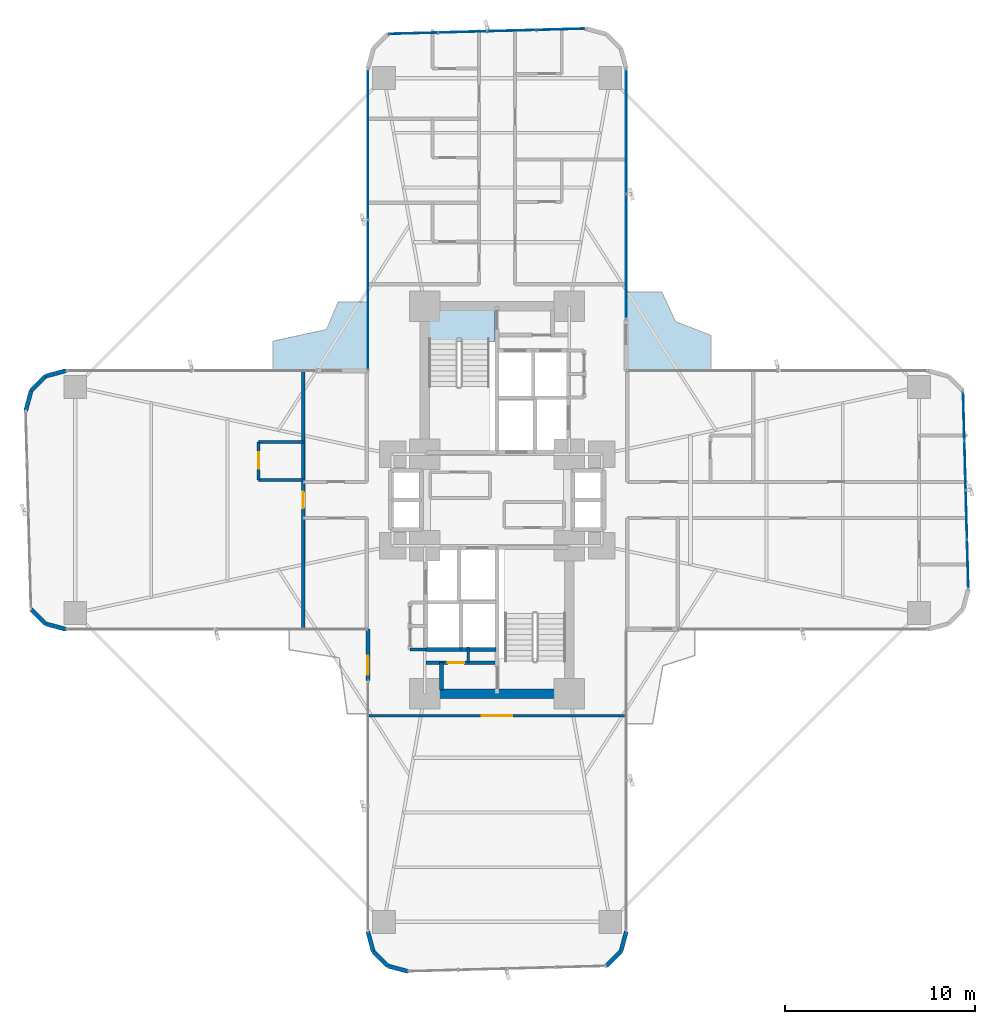
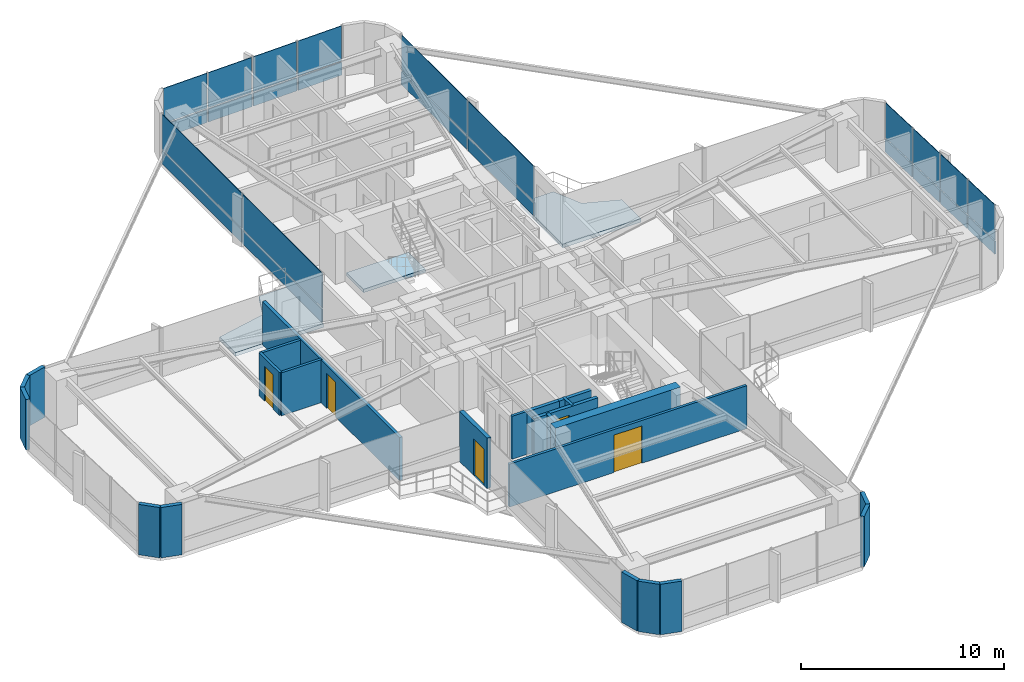
# One storey, part 21 of 25: 24 plates, 23 walls, 5 doors, 3 slabs, 5 openings, 4 elements without a shape of their own.
"""IFC4 building model written with IfcOpenShell, lengths in metres."""

from ifc_helpers import new_model, si_unit, direction, frame, frame_2d, origin, origin_2d, place, context, subcontext, project, spatial, polyline, rectangle, outline, extrude, source, transform, mapped, material, layer, layer_set, type_object, element, fill, aggregate, save


model = new_model("IFC4")

# Units and contexts
model_context = context("Model", 3, precision=1e-05, world=origin(), true_north=direction((0.0, 1.0)))
body_context = subcontext(model_context, "Body", "Model", "MODEL_VIEW")
ifc_project = project(units=[si_unit("LENGTHUNIT", "METRE"), si_unit("AREAUNIT", "SQUARE_METRE"), si_unit("VOLUMEUNIT", "CUBIC_METRE"), si_unit("PLANEANGLEUNIT", "RADIAN"), si_unit("MASSUNIT", "GRAM", prefix="KILO")], contexts=[model_context])

# Site, building, storey
site_placement = place(None, origin())
site = spatial("IfcSite", under=ifc_project, at=site_placement, CompositionType="ELEMENT")
building_placement = place(site_placement, origin())
building = spatial("IfcBuilding", under=site, at=building_placement, Name="Sahyath Konkavel Grand Hotel", CompositionType="ELEMENT")
storey_placement = place(building_placement, frame((0.0, 0.0, 71.14990234375)))
storey = spatial("IfcBuildingStorey", under=building, at=storey_placement, Name="L19", CompositionType="ELEMENT", Elevation=71.14990234375)

# Slabs
ifc_material_1 = material(Name="Concrete C40/50", Category="concrete")
ifc_layer_1 = layer(ifc_material_1, 0.219970703125)
ifc_layer_set_1 = layer_set([ifc_layer_1], Name="Concrete C40/50")
slab_type_1 = type_object("IfcSlabType", Name="SLB-BALCONY-220", PredefinedType="FLOOR", material=ifc_layer_set_1)
slab_1_placement = place(storey_placement, frame((0.0, 0.0, -0.219970703125)))
element("IfcSlab", 1, at=slab_1_placement, inside=storey, type_object=slab_type_1, Name="L19 Winter-Garden Balcony NE", PredefinedType="FLOOR", context=body_context, shape_type="SweptSolid", body=[
    extrude(outline(polyline([(6.800048828125, 6.800048828125), (11.2529296875, 6.800048828125), (11.2529296875, 8.66259765625), (9.386962890625, 9.386962890625), (8.66259765625, 10.947021484375), (6.800048828125, 10.947021484375), (6.800048828125, 6.800048828125)])), origin(), (0.0, 0.0, 1.0), 0.219970703125),
])
slab_2_placement = place(storey_placement, frame((0.0, 0.0, -0.219970703125)))
element("IfcSlab", 2, at=slab_2_placement, inside=storey, type_object=slab_type_1, Name="L19 Winter-Garden Balcony NW", PredefinedType="FLOOR", context=body_context, shape_type="SweptSolid", body=[
    extrude(outline(polyline([(-6.800048828125, 6.800048828125), (-6.800048828125, 10.4169921875), (-8.3623046875, 10.4169921875), (-8.969970703125, 8.969970703125), (-11.782958984375, 8.3623046875), (-11.782958984375, 6.800048828125), (-6.800048828125, 6.800048828125)])), origin(), (0.0, 0.0, 1.0), 0.219970703125),
])
ifc_layer_2 = layer(ifc_material_1, 0.199951171875)
ifc_layer_set_2 = layer_set([ifc_layer_2], Name="Concrete C40/50")
slab_type_2 = type_object("IfcSlabType", Name="SLB-STAIR-LND", PredefinedType="LANDING", material=ifc_layer_set_2)
slab_3_placement = place(storey_placement, frame((0.0, 0.0, -0.199951171875)))
element("IfcSlab", 3, at=slab_3_placement, inside=storey, type_object=slab_type_2, Name="L19 Stair ST-1 Floor Landing Slab", PredefinedType="LANDING", context=body_context, shape_type="SweptSolid", body=[
    extrude(outline(polyline([(-3.6201171875, 8.35009765625), (-0.10009765625, 8.35009765625), (-0.10009765625, 10.02001953125), (-3.6201171875, 10.02001953125), (-3.6201171875, 8.35009765625)])), origin(), (0.0, 0.0, 1.0), 0.199951171875),
])

# Curtain wall, plates
ifc_material_2 = material(Name="Anodised Bronze Aluminium & Low-E Glazing", Category="aluminium")
curtain_wall_type = type_object("IfcCurtainWallType", Name="CW-ZONE1", PredefinedType="NOTDEFINED", material=ifc_material_2)
curtain_wall_1_placement = place(storey_placement, origin())
curtain_wall_1 = element("IfcCurtainWall", 4, at=curtain_wall_1_placement, inside=storey, type_object=curtain_wall_type, Name="L19 Unitised Curtain Wall F15", PredefinedType="NOTDEFINED")
ifc_material_3 = material(Name="Warm Buff Sandstone Cladding", Category="masonry")
ifc_layer_3 = layer(ifc_material_3, 0.074951171875)
ifc_layer_set_3 = layer_set([ifc_layer_3], Name="Warm Buff Sandstone Cladding")
plate_type_1 = type_object("IfcPlateType", Name="PNL-SPANDREL-STONE", PredefinedType="SHEET", material=ifc_layer_set_3)
shared_shape_1 = source(origin(), body_context, "Body", "SweptSolid", [
    extrude(rectangle(XDim=7.830078125, YDim=0.074951171875, at=origin_2d()), origin(), (0.0, 0.0, 1.0), 0.77001953125),
])
plate_1_placement = place(storey_placement, frame((-6.800048828125, 18.705078125, 0.0400390625), z_axis=(0.0, 0.0, 1.0), x_axis=(0.0, -1.0, 0.0)))
plate_1 = element("IfcPlate", 5, at=plate_1_placement, type_object=plate_type_1, Name="L19 Sandstone Relief Spandrel Panel F15-0", PredefinedType="SHEET", context=body_context, shape_type="MappedRepresentation", body=[
    mapped(shared_shape_1, transform((0.0, 0.0, 0.0), scale=1.0)),
])
plate_2_placement = place(storey_placement, frame((-6.800048828125, 10.794921875, 0.0400390625), z_axis=(0.0, 0.0, 1.0), x_axis=(0.0, -1.0, 0.0)))
plate_2 = element("IfcPlate", 6, at=plate_2_placement, type_object=plate_type_1, Name="L19 Sandstone Relief Spandrel Panel F15-1", PredefinedType="SHEET", context=body_context, shape_type="MappedRepresentation", body=[
    mapped(shared_shape_1, transform((0.0, 0.0, 0.0), scale=1.0)),
])

curtain_wall_2_placement = place(storey_placement, origin())
curtain_wall_2 = element("IfcCurtainWall", 7, at=curtain_wall_2_placement, inside=storey, type_object=curtain_wall_type, Name="L19 Unitised Curtain Wall F4", PredefinedType="NOTDEFINED")
shared_shape_2 = source(origin(), body_context, "Body", "SweptSolid", [
    extrude(rectangle(XDim=2.513427734375, YDim=0.074951171875, at=origin_2d()), origin(), (0.0, 0.0, 1.0), 0.77001953125),
])
plate_3_placement = place(storey_placement, frame((24.763916015625, -3.36376953125, 0.0400390625), z_axis=(0.0, 0.0, 1.0), x_axis=(-0.026909728301, 0.999637867691, 0.0)))
plate_3 = element("IfcPlate", 8, at=plate_3_placement, type_object=plate_type_1, Name="L19 Sandstone Relief Spandrel Panel F4-0", PredefinedType="SHEET", context=body_context, shape_type="MappedRepresentation", body=[
    mapped(shared_shape_2, transform((0.0, 0.0, 0.0), scale=1.0)),
])
plate_4_placement = place(storey_placement, frame((24.694091796875, -0.771240234375, 0.0400390625), z_axis=(0.0, 0.0, 1.0), x_axis=(-0.026909728301, 0.999637867691, 0.0)))
plate_4 = element("IfcPlate", 9, at=plate_4_placement, type_object=plate_type_1, Name="L19 Sandstone Relief Spandrel Panel F4-1", PredefinedType="SHEET", context=body_context, shape_type="MappedRepresentation", body=[
    mapped(shared_shape_2, transform((0.0, 0.0, 0.0), scale=1.0)),
])
plate_5_placement = place(storey_placement, frame((24.62451171875, 1.8212890625, 0.0400390625), z_axis=(0.0, 0.0, 1.0), x_axis=(-0.026909728301, 0.999637867691, 0.0)))
plate_5 = element("IfcPlate", 10, at=plate_5_placement, type_object=plate_type_1, Name="L19 Sandstone Relief Spandrel Panel F4-2", PredefinedType="SHEET", context=body_context, shape_type="MappedRepresentation", body=[
    mapped(shared_shape_2, transform((0.0, 0.0, 0.0), scale=1.0)),
])
plate_6_placement = place(storey_placement, frame((24.5546875, 4.413818359375, 0.0400390625), z_axis=(0.0, 0.0, 1.0), x_axis=(-0.026909728301, 0.999637867691, 0.0)))
plate_6 = element("IfcPlate", 11, at=plate_6_placement, type_object=plate_type_1, Name="L19 Sandstone Relief Spandrel Panel F4-3", PredefinedType="SHEET", context=body_context, shape_type="MappedRepresentation", body=[
    mapped(shared_shape_2, transform((0.0, 0.0, 0.0), scale=1.0)),
])

curtain_wall_3_placement = place(storey_placement, origin())
curtain_wall_3 = element("IfcCurtainWall", 12, at=curtain_wall_3_placement, inside=storey, type_object=curtain_wall_type, Name="L19 Unitised Curtain Wall F12", PredefinedType="NOTDEFINED")
plate_7_placement = place(storey_placement, frame((3.36376953125, 24.763916015625, 0.0400390625), z_axis=(0.0, 0.0, 1.0), x_axis=(-0.999637867691, -0.026909728301, 0.0)))
plate_7 = element("IfcPlate", 13, at=plate_7_placement, type_object=plate_type_1, Name="L19 Sandstone Relief Spandrel Panel F12-0", PredefinedType="SHEET", context=body_context, shape_type="MappedRepresentation", body=[
    mapped(shared_shape_2, transform((0.0, 0.0, 0.0), scale=1.0)),
])
plate_8_placement = place(storey_placement, frame((0.771240234375, 24.694091796875, 0.0400390625), z_axis=(0.0, 0.0, 1.0), x_axis=(-0.999637867691, -0.026909728301, 0.0)))
plate_8 = element("IfcPlate", 14, at=plate_8_placement, type_object=plate_type_1, Name="L19 Sandstone Relief Spandrel Panel F12-1", PredefinedType="SHEET", context=body_context, shape_type="MappedRepresentation", body=[
    mapped(shared_shape_2, transform((0.0, 0.0, 0.0), scale=1.0)),
])
plate_9_placement = place(storey_placement, frame((-1.8212890625, 24.62451171875, 0.0400390625), z_axis=(0.0, 0.0, 1.0), x_axis=(-0.999637867691, -0.026909728301, 0.0)))
plate_9 = element("IfcPlate", 15, at=plate_9_placement, type_object=plate_type_1, Name="L19 Sandstone Relief Spandrel Panel F12-2", PredefinedType="SHEET", context=body_context, shape_type="MappedRepresentation", body=[
    mapped(shared_shape_2, transform((0.0, 0.0, 0.0), scale=1.0)),
])
plate_10_placement = place(storey_placement, frame((-4.413818359375, 24.5546875, 0.0400390625), z_axis=(0.0, 0.0, 1.0), x_axis=(-0.999637867691, -0.026909728301, 0.0)))
plate_10 = element("IfcPlate", 16, at=plate_10_placement, type_object=plate_type_1, Name="L19 Sandstone Relief Spandrel Panel F12-3", PredefinedType="SHEET", context=body_context, shape_type="MappedRepresentation", body=[
    mapped(shared_shape_2, transform((0.0, 0.0, 0.0), scale=1.0)),
])

curtain_wall_4_placement = place(storey_placement, origin())
curtain_wall_4 = element("IfcCurtainWall", 17, at=curtain_wall_4_placement, inside=storey, type_object=curtain_wall_type, Name="L19 Unitised Curtain Wall F8", PredefinedType="NOTDEFINED")
shared_shape_3 = source(origin(), body_context, "Body", "SweptSolid", [
    extrude(rectangle(XDim=6.47998046875, YDim=0.074951171875, at=origin_2d()), origin(), (0.0, 0.0, 1.0), 0.77001953125),
])
plate_11_placement = place(storey_placement, frame((6.800048828125, 12.820068359375, 0.0400390625), z_axis=(0.0, 0.0, 1.0), x_axis=(0.0, 1.0, 0.0)))
plate_11 = element("IfcPlate", 18, at=plate_11_placement, type_object=plate_type_1, Name="L19 Sandstone Relief Spandrel Panel F8-0", PredefinedType="SHEET", context=body_context, shape_type="MappedRepresentation", body=[
    mapped(shared_shape_3, transform((0.0, 0.0, 0.0), scale=1.0)),
])
plate_12_placement = place(storey_placement, frame((6.800048828125, 19.3798828125, 0.0400390625), z_axis=(0.0, 0.0, 1.0), x_axis=(0.0, 1.0, 0.0)))
plate_12 = element("IfcPlate", 19, at=plate_12_placement, type_object=plate_type_1, Name="L19 Sandstone Relief Spandrel Panel F8-1", PredefinedType="SHEET", context=body_context, shape_type="MappedRepresentation", body=[
    mapped(shared_shape_3, transform((0.0, 0.0, 0.0), scale=1.0)),
])
ifc_material_4 = material(Name="Low-E Solar Control Double Glazing", Category="glass")
ifc_layer_4 = layer(ifc_material_4, 0.035888671875)
ifc_layer_set_4 = layer_set([ifc_layer_4], Name="Low-E Solar Control Double Glazing")
plate_type_2 = type_object("IfcPlateType", Name="PNL-VISION-LOWE", PredefinedType="CURTAIN_PANEL", material=ifc_layer_set_4)
shared_shape_4 = source(origin(), body_context, "Body", "SweptSolid", [
    extrude(rectangle(XDim=6.47998046875, YDim=0.035888671875, at=origin_2d()), origin(), (0.0, 0.0, 1.0), 2.10009765625),
])
plate_13_placement = place(storey_placement, frame((6.800048828125, 12.820068359375, 0.89013671875), z_axis=(0.0, 0.0, 1.0), x_axis=(0.0, 1.0, 0.0)))
plate_13 = element("IfcPlate", 20, at=plate_13_placement, type_object=plate_type_2, Name="L19 Low-E Vision Glazing Panel F8-0", PredefinedType="CURTAIN_PANEL", context=body_context, shape_type="MappedRepresentation", body=[
    mapped(shared_shape_4, transform((0.0, 0.0, 0.0), scale=1.0)),
])
plate_14_placement = place(storey_placement, frame((6.800048828125, 19.3798828125, 0.89013671875), z_axis=(0.0, 0.0, 1.0), x_axis=(0.0, 1.0, 0.0)))
plate_14 = element("IfcPlate", 21, at=plate_14_placement, type_object=plate_type_2, Name="L19 Low-E Vision Glazing Panel F8-1", PredefinedType="CURTAIN_PANEL", context=body_context, shape_type="MappedRepresentation", body=[
    mapped(shared_shape_4, transform((0.0, 0.0, 0.0), scale=1.0)),
])
aggregate(curtain_wall_4, [plate_11, plate_13, plate_12, plate_14])

# Plate
shared_shape_5 = source(origin(), body_context, "Body", "SweptSolid", [
    extrude(rectangle(XDim=2.513427734375, YDim=0.035888671875, at=origin_2d()), origin(), (0.0, 0.0, 1.0), 2.10009765625),
])
plate_15_placement = place(storey_placement, frame((24.763916015625, -3.36376953125, 0.89013671875), z_axis=(0.0, 0.0, 1.0), x_axis=(-0.026909728301, 0.999637867691, 0.0)))
plate_15 = element("IfcPlate", 22, at=plate_15_placement, type_object=plate_type_2, Name="L19 Low-E Vision Glazing Panel F4-0", PredefinedType="CURTAIN_PANEL", context=body_context, shape_type="MappedRepresentation", body=[
    mapped(shared_shape_5, transform((0.0, 0.0, 0.0), scale=1.0)),
])

plate_16_placement = place(storey_placement, frame((24.694091796875, -0.771240234375, 0.89013671875), z_axis=(0.0, 0.0, 1.0), x_axis=(-0.026909728301, 0.999637867691, 0.0)))
plate_16 = element("IfcPlate", 23, at=plate_16_placement, type_object=plate_type_2, Name="L19 Low-E Vision Glazing Panel F4-1", PredefinedType="CURTAIN_PANEL", context=body_context, shape_type="MappedRepresentation", body=[
    mapped(shared_shape_5, transform((0.0, 0.0, 0.0), scale=1.0)),
])

plate_17_placement = place(storey_placement, frame((24.62451171875, 1.8212890625, 0.89013671875), z_axis=(0.0, 0.0, 1.0), x_axis=(-0.026909728301, 0.999637867691, 0.0)))
plate_17 = element("IfcPlate", 24, at=plate_17_placement, type_object=plate_type_2, Name="L19 Low-E Vision Glazing Panel F4-2", PredefinedType="CURTAIN_PANEL", context=body_context, shape_type="MappedRepresentation", body=[
    mapped(shared_shape_5, transform((0.0, 0.0, 0.0), scale=1.0)),
])

plate_18_placement = place(storey_placement, frame((24.5546875, 4.413818359375, 0.89013671875), z_axis=(0.0, 0.0, 1.0), x_axis=(-0.026909728301, 0.999637867691, 0.0)))
plate_18 = element("IfcPlate", 25, at=plate_18_placement, type_object=plate_type_2, Name="L19 Low-E Vision Glazing Panel F4-3", PredefinedType="CURTAIN_PANEL", context=body_context, shape_type="MappedRepresentation", body=[
    mapped(shared_shape_5, transform((0.0, 0.0, 0.0), scale=1.0)),
])

aggregate(curtain_wall_2, [plate_3, plate_15, plate_4, plate_16, plate_5, plate_17, plate_6, plate_18])

plate_19_placement = place(storey_placement, frame((3.36376953125, 24.763916015625, 0.89013671875), z_axis=(0.0, 0.0, 1.0), x_axis=(-0.999637867691, -0.026909728301, 0.0)))
plate_19 = element("IfcPlate", 26, at=plate_19_placement, type_object=plate_type_2, Name="L19 Low-E Vision Glazing Panel F12-0", PredefinedType="CURTAIN_PANEL", context=body_context, shape_type="MappedRepresentation", body=[
    mapped(shared_shape_5, transform((0.0, 0.0, 0.0), scale=1.0)),
])

plate_20_placement = place(storey_placement, frame((0.771240234375, 24.694091796875, 0.89013671875), z_axis=(0.0, 0.0, 1.0), x_axis=(-0.999637867691, -0.026909728301, 0.0)))
plate_20 = element("IfcPlate", 27, at=plate_20_placement, type_object=plate_type_2, Name="L19 Low-E Vision Glazing Panel F12-1", PredefinedType="CURTAIN_PANEL", context=body_context, shape_type="MappedRepresentation", body=[
    mapped(shared_shape_5, transform((0.0, 0.0, 0.0), scale=1.0)),
])

plate_21_placement = place(storey_placement, frame((-1.8212890625, 24.62451171875, 0.89013671875), z_axis=(0.0, 0.0, 1.0), x_axis=(-0.999637867691, -0.026909728301, 0.0)))
plate_21 = element("IfcPlate", 28, at=plate_21_placement, type_object=plate_type_2, Name="L19 Low-E Vision Glazing Panel F12-2", PredefinedType="CURTAIN_PANEL", context=body_context, shape_type="MappedRepresentation", body=[
    mapped(shared_shape_5, transform((0.0, 0.0, 0.0), scale=1.0)),
])

plate_22_placement = place(storey_placement, frame((-4.413818359375, 24.5546875, 0.89013671875), z_axis=(0.0, 0.0, 1.0), x_axis=(-0.999637867691, -0.026909728301, 0.0)))
plate_22 = element("IfcPlate", 29, at=plate_22_placement, type_object=plate_type_2, Name="L19 Low-E Vision Glazing Panel F12-3", PredefinedType="CURTAIN_PANEL", context=body_context, shape_type="MappedRepresentation", body=[
    mapped(shared_shape_5, transform((0.0, 0.0, 0.0), scale=1.0)),
])

aggregate(curtain_wall_3, [plate_7, plate_19, plate_8, plate_20, plate_9, plate_21, plate_10, plate_22])

shared_shape_6 = source(origin(), body_context, "Body", "SweptSolid", [
    extrude(rectangle(XDim=7.830078125, YDim=0.035888671875, at=origin_2d()), origin(), (0.0, 0.0, 1.0), 2.10009765625),
])
plate_23_placement = place(storey_placement, frame((-6.800048828125, 18.705078125, 0.89013671875), z_axis=(0.0, 0.0, 1.0), x_axis=(0.0, -1.0, 0.0)))
plate_23 = element("IfcPlate", 30, at=plate_23_placement, type_object=plate_type_2, Name="L19 Low-E Vision Glazing Panel F15-0", PredefinedType="CURTAIN_PANEL", context=body_context, shape_type="MappedRepresentation", body=[
    mapped(shared_shape_6, transform((0.0, 0.0, 0.0), scale=1.0)),
])

plate_24_placement = place(storey_placement, frame((-6.800048828125, 10.794921875, 0.89013671875), z_axis=(0.0, 0.0, 1.0), x_axis=(0.0, -1.0, 0.0)))
plate_24 = element("IfcPlate", 31, at=plate_24_placement, type_object=plate_type_2, Name="L19 Low-E Vision Glazing Panel F15-1", PredefinedType="CURTAIN_PANEL", context=body_context, shape_type="MappedRepresentation", body=[
    mapped(shared_shape_6, transform((0.0, 0.0, 0.0), scale=1.0)),
])

aggregate(curtain_wall_1, [plate_1, plate_23, plate_2, plate_24])

# Walls
ifc_material_5 = material(Name="Concrete C70/85", Category="concrete")
ifc_layer_5 = layer(ifc_material_5, 0.5)
ifc_layer_set_5 = layer_set([ifc_layer_5], Name="Concrete C70/85")
wall_type_1 = type_object("IfcWallType", Name="CWALL-500", PredefinedType="SHEAR", material=ifc_layer_set_5)
wall_1_placement = place(storey_placement, frame((-3.550048828125, -10.199951171875, 0.0), z_axis=(0.0, 0.0, 1.0), x_axis=(1.0, 0.0, 0.0)))
element("IfcWall", 32, at=wall_1_placement, inside=storey, type_object=wall_type_1, Name="L19 South Core Shear Wall S", PredefinedType="SHEAR", context=body_context, shape_type="SweptSolid", body=[
    extrude(rectangle(XDim=7.10009765625, YDim=0.5, at=frame_2d((3.550048828125, 0.0))), origin(), (0.0, 0.0, 1.0), 3.030029296875),
])
ifc_material_6 = material(Name="Warm Buff Sandstone Insulated Concrete C40/50", Category="masonry")
ifc_layer_6 = layer(ifc_material_6, 0.219970703125)
ifc_layer_set_6 = layer_set([ifc_layer_6], Name="Warm Buff Sandstone Insulated Concrete C40/50")
wall_type_2 = type_object("IfcWallType", Name="WLL-BALC-THRESH", PredefinedType="STANDARD", material=ifc_layer_set_6)
for number, where, z_axis, x_axis, name in (
    (33, (-22.699951171875, 6.800048828125, 0.0), (0.0, 0.0, 1.0), (-0.965951058412, -0.25872485917, 0.0), "L19 Rounded Corner Sandstone Pier 17"),
    (34, (-23.75, 6.518798828125, 0.0), (0.0, 0.0, 1.0), (-0.707106781187, -0.707106781187, 0.0), "L19 Rounded Corner Sandstone Pier 18"),
    (35, (-24.518798828125, 5.75, 0.0), (0.0, 0.0, 1.0), (-0.25872485917, -0.965951058412, 0.0), "L19 Rounded Corner Sandstone Pier 19"),
    (36, (-24.518798828125, -5.75, 0.0), (0.0, 0.0, 1.0), (0.707106781187, -0.707106781187, 0.0), "L19 Rounded Corner Sandstone Pier 21"),
    (37, (-23.75, -6.518798828125, 0.0), (0.0, 0.0, 1.0), (0.965951058412, -0.25872485917, 0.0), "L19 Rounded Corner Sandstone Pier 22"),
):
    element("IfcWall", number, at=place(storey_placement, frame(where, z_axis=z_axis, x_axis=x_axis)), inside=storey, type_object=wall_type_2, Name=name, PredefinedType="STANDARD", context=body_context, shape_type="SweptSolid", body=[
        extrude(rectangle(XDim=1.087158203125, YDim=0.219970703125, at=frame_2d((0.54345703125, 0.0))), origin(), (0.0, 0.0, 1.0), 3.030029296875),
    ])

# Wall, opening, door
wall_2_placement = place(storey_placement, frame((-6.800048828125, -6.800048828125, 0.0), z_axis=(0.0, 0.0, 1.0), x_axis=(0.0, -1.0, 0.0)))
wall_2 = element("IfcWall", 38, at=wall_2_placement, inside=storey, type_object=wall_type_2, Name="L19 Winter-Garden Threshold Wall 24", PredefinedType="STANDARD", context=body_context, shape_type="SweptSolid", body=[
    extrude(rectangle(XDim=2.699951171875, YDim=0.219970703125, at=frame_2d((1.35009765625, 0.0))), origin(), (0.0, 0.0, 1.0), 3.030029296875),
])
opening_1_placement = place(wall_2_placement, frame((1.39990234375, 0.0, 0.0)))
opening_1 = element("IfcOpeningElement", 39, at=opening_1_placement, cuts=wall_2, Name="Opening D-TR1", PredefinedType="OPENING", context=body_context, shape_type="SweptSolid", body=[
    extrude(rectangle(XDim=1.0, YDim=2.199951171875, at=frame_2d((0.5, 1.10009765625))), frame((0.0, 0.1201171875, 0.0), z_axis=(0.0, -1.0, 0.0), x_axis=(1.0, 0.0, 0.0)), (0.0, 0.0, 1.0), 0.239990234375),
])
door_type_1 = type_object("IfcDoorType", Name="DR-TERRACE-1000", OperationType="NOTDEFINED", PredefinedType="DOOR", material=ifc_material_2)
shared_shape_7 = source(origin(), body_context, "Body", "SweptSolid", [
    extrude(rectangle(XDim=1.0, YDim=0.050048828125, at=origin_2d()), origin(), (0.0, 0.0, 1.0), 2.199951171875),
])
door_1_placement = place(opening_1_placement, frame((0.5, 0.0, 0.0)))
door_1 = element("IfcDoor", 40, at=door_1_placement, inside=storey, type_object=door_type_1, Name="L19 Winter-Garden Terrace Door 24", OperationType="SINGLE_SWING_LEFT", OverallHeight=2.199951171875, OverallWidth=1.0, PredefinedType="DOOR", context=body_context, shape_type="MappedRepresentation", body=[
    mapped(shared_shape_7, transform((0.0, 0.0, 0.0), scale=1.0)),
])
fill(opening_1, door_1)

# Walls
for number, where, z_axis, x_axis, name in (
    (41, (-6.800048828125, -22.699951171875, 0.0), (0.0, 0.0, 1.0), (0.25872485917, -0.965951058412, 0.0), "L19 Rounded Corner Sandstone Pier 25"),
    (42, (-6.518798828125, -23.75, 0.0), (0.0, 0.0, 1.0), (0.707106781187, -0.707106781187, 0.0), "L19 Rounded Corner Sandstone Pier 26"),
    (43, (-5.75, -24.518798828125, 0.0), (0.0, 0.0, 1.0), (0.965951058412, -0.25872485917, 0.0), "L19 Rounded Corner Sandstone Pier 27"),
    (44, (5.75, -24.518798828125, 0.0), (0.0, 0.0, 1.0), (0.707106781187, 0.707106781187, 0.0), "L19 Rounded Corner Sandstone Pier 29"),
    (45, (6.518798828125, -23.75, 0.0), (0.0, 0.0, 1.0), (0.25872485917, 0.965951058412, 0.0), "L19 Rounded Corner Sandstone Pier 30"),
):
    element("IfcWall", number, at=place(storey_placement, frame(where, z_axis=z_axis, x_axis=x_axis)), inside=storey, type_object=wall_type_2, Name=name, PredefinedType="STANDARD", context=body_context, shape_type="SweptSolid", body=[
        extrude(rectangle(XDim=1.087158203125, YDim=0.219970703125, at=frame_2d((0.54345703125, 0.0))), origin(), (0.0, 0.0, 1.0), 3.030029296875),
    ])
ifc_layer_7 = layer(ifc_material_1, 0.199951171875)
ifc_layer_set_7 = layer_set([ifc_layer_7], Name="Concrete C40/50")
wall_type_3 = type_object("IfcWallType", Name="WLL-CORE-200", PredefinedType="SOLIDWALL", material=ifc_layer_set_7)
wall_3_placement = place(storey_placement, frame((-3.739990234375, -7.860107421875, 0.0), z_axis=(0.0, 0.0, 1.0), x_axis=(1.0, 0.0, 0.0)))
element("IfcWall", 46, at=wall_3_placement, inside=storey, type_object=wall_type_3, Name="L19 Partition SH-PL3-S", PredefinedType="SOLIDWALL", context=body_context, shape_type="SweptSolid", body=[
    extrude(rectangle(XDim=1.840087890625, YDim=0.199951171875, at=frame_2d((0.919921875, 0.0))), origin(), (0.0, 0.0, 1.0), 2.580078125),
])
wall_4_placement = place(storey_placement, frame((-1.89990234375, -7.860107421875, 0.0), z_axis=(0.0, 0.0, 1.0), x_axis=(1.0, 0.0, 0.0)))
element("IfcWall", 47, at=wall_4_placement, inside=storey, type_object=wall_type_3, Name="L19 Partition SH-PL4-S", PredefinedType="SOLIDWALL", context=body_context, shape_type="SweptSolid", body=[
    extrude(rectangle(XDim=1.849853515625, YDim=0.199951171875, at=frame_2d((0.9248046875, 0.0))), origin(), (0.0, 0.0, 1.0), 2.580078125),
])

# Wall, opening, door
wall_5_placement = place(storey_placement, frame((-3.739990234375, -8.56005859375, 0.0), z_axis=(0.0, 0.0, 1.0), x_axis=(1.0, 0.0, 0.0)))
wall_5 = element("IfcWall", 48, at=wall_5_placement, inside=storey, type_object=wall_type_3, Name="L19 South FF Lobby Separation Wall", PredefinedType="SOLIDWALL", context=body_context, shape_type="SweptSolid", body=[
    extrude(rectangle(XDim=3.619873046875, YDim=0.199951171875, at=frame_2d((1.81005859375, 0.0))), origin(), (0.0, 0.0, 1.0), 2.580078125),
])
opening_2_placement = place(wall_5_placement, frame((1.14990234375, 0.0, 0.0)))
opening_2 = element("IfcOpeningElement", 49, at=opening_2_placement, cuts=wall_5, Name="Opening D-F12D", PredefinedType="OPENING", context=body_context, shape_type="SweptSolid", body=[
    extrude(rectangle(XDim=0.85009765625, YDim=2.10009765625, at=frame_2d((0.425048828125, 1.050048828125))), frame((0.0, 0.10986328125, 0.0), z_axis=(0.0, -1.0, 0.0), x_axis=(1.0, 0.0, 0.0)), (0.0, 0.0, 1.0), 0.219970703125),
])
ifc_material_7 = material(Name="Steel E350 Core Fire Door", Category="steel")
door_type_2 = type_object("IfcDoorType", Name="DR-FD120-850", OperationType="NOTDEFINED", PredefinedType="DOOR", material=ifc_material_7)
shared_shape_8 = source(origin(), body_context, "Body", "SweptSolid", [
    extrude(rectangle(XDim=0.85009765625, YDim=0.050048828125, at=origin_2d()), origin(), (0.0, 0.0, 1.0), 2.10009765625),
])
door_2_placement = place(opening_2_placement, frame((0.425048828125, 0.0, 0.0)))
door_2 = element("IfcDoor", 50, at=door_2_placement, inside=storey, type_object=door_type_2, Name="L19 South Firefighting Lobby Door", OperationType="SINGLE_SWING_RIGHT", OverallHeight=2.10009765625, OverallWidth=0.85009765625, PredefinedType="DOOR", context=body_context, shape_type="MappedRepresentation", body=[
    mapped(shared_shape_8, transform((0.0, 0.0, 0.0), scale=1.0)),
])
fill(opening_2, door_2)

# Wall
wall_6_placement = place(storey_placement, frame((-2.919921875, -10.0, 0.0), z_axis=(0.0, 0.0, 1.0), x_axis=(0.0, 1.0, 0.0)))
element("IfcWall", 51, at=wall_6_placement, inside=storey, type_object=wall_type_3, Name="L19 Partition SFF-W2", PredefinedType="SOLIDWALL", context=body_context, shape_type="SweptSolid", body=[
    extrude(rectangle(XDim=1.43994140625, YDim=0.199951171875, at=frame_2d((0.719970703125, 0.0))), origin(), (0.0, 0.0, 1.0), 2.580078125),
])

# Wall, opening, door
ifc_material_8 = material(Name="Twin-Stud Acoustic Gypsum Plasterboard Partition")
ifc_layer_8 = layer(ifc_material_8, 0.179931640625)
ifc_layer_set_8 = layer_set([ifc_layer_8], Name="Twin-Stud Acoustic Gypsum Plasterboard Partition")
wall_type_4 = type_object("IfcWallType", Name="WLL-DEMISE-180", PredefinedType="PARTITIONING", material=ifc_layer_set_8)
wall_7_placement = place(storey_placement, frame((-10.199951171875, 6.75, 0.0), z_axis=(0.0, 0.0, 1.0), x_axis=(0.0, -1.0, 0.0)))
wall_7 = element("IfcWall", 52, at=wall_7_placement, inside=storey, type_object=wall_type_4, Name="L19 Partition W-WTIP-END", PredefinedType="PARTITIONING", context=body_context, shape_type="SweptSolid", body=[
    extrude(rectangle(XDim=13.5, YDim=0.179931640625, at=frame_2d((6.75, 0.0))), origin(), (0.0, 0.0, 1.0), 2.580078125),
])
opening_3_placement = place(wall_7_placement, frame((6.324951171875, 0.0, 0.0)))
opening_3 = element("IfcOpeningElement", 53, at=opening_3_placement, cuts=wall_7, Name="Opening D-F06D", PredefinedType="OPENING", context=body_context, shape_type="SweptSolid", body=[
    extrude(rectangle(XDim=0.85009765625, YDim=2.10009765625, at=frame_2d((0.425048828125, 1.050048828125))), frame((0.0, 0.10009765625, 0.0), z_axis=(0.0, -1.0, 0.0), x_axis=(1.0, 0.0, 0.0)), (0.0, 0.0, 1.0), 0.199951171875),
])
ifc_material_9 = material(Name="Fire-Rated Shaft Access Door")
door_type_3 = type_object("IfcDoorType", Name="DR-FD60-850", OperationType="NOTDEFINED", PredefinedType="DOOR", material=ifc_material_9)
door_3_placement = place(opening_3_placement, frame((0.425048828125, 0.0, 0.0)))
door_3 = element("IfcDoor", 54, at=door_3_placement, inside=storey, type_object=door_type_3, Name="L19 Door W-WTIP-ED", OperationType="SINGLE_SWING_RIGHT", OverallHeight=2.10009765625, OverallWidth=0.85009765625, PredefinedType="DOOR", context=body_context, shape_type="MappedRepresentation", body=[
    mapped(shared_shape_8, transform((0.0, 0.0, 0.0), scale=1.0)),
])
fill(opening_3, door_3)

# Walls
ifc_material_10 = material(Name="Fire-Rated Gypsum Plasterboard Partition")
ifc_layer_9 = layer(ifc_material_10, 0.14990234375)
ifc_layer_set_9 = layer_set([ifc_layer_9], Name="Fire-Rated Gypsum Plasterboard Partition")
wall_type_5 = type_object("IfcWallType", Name="WLL-PART-150", PredefinedType="PARTITIONING", material=ifc_layer_set_9)
wall_8_placement = place(storey_placement, frame((-1.52001953125, -8.56005859375, 0.0), z_axis=(0.0, 0.0, 1.0), x_axis=(0.0, 1.0, 0.0)))
element("IfcWall", 55, at=wall_8_placement, inside=storey, type_object=wall_type_5, Name="L19 Partition SC-VST-E", PredefinedType="PARTITIONING", context=body_context, shape_type="SweptSolid", body=[
    extrude(rectangle(XDim=0.820068359375, YDim=0.14990234375, at=frame_2d((0.41015625, 0.0))), origin(), (0.0, 0.0, 1.0), 2.580078125),
])
wall_9_placement = place(storey_placement, frame((-4.580078125, -7.860107421875, 0.0), z_axis=(0.0, 0.0, 1.0), x_axis=(1.0, 0.0, 0.0)))
element("IfcWall", 56, at=wall_9_placement, inside=storey, type_object=wall_type_5, Name="L19 Partition SC-FLK-S", PredefinedType="PARTITIONING", context=body_context, shape_type="SweptSolid", body=[
    extrude(rectangle(XDim=0.840087890625, YDim=0.14990234375, at=frame_2d((0.419921875, 0.0))), origin(), (0.0, 0.0, 1.0), 2.580078125),
])
wall_10_placement = place(storey_placement, frame((-10.199951171875, 1.050048828125, 0.0), z_axis=(0.0, 0.0, 1.0), x_axis=(-1.0, 0.0, 0.0)))
element("IfcWall", 57, at=wall_10_placement, inside=storey, type_object=wall_type_5, Name="L19 Partition W-WTIP-BN", PredefinedType="PARTITIONING", context=body_context, shape_type="SweptSolid", body=[
    extrude(rectangle(XDim=2.35009765625, YDim=0.14990234375, at=frame_2d((1.175048828125, 0.0))), origin(), (0.0, 0.0, 1.0), 2.580078125),
])
wall_11_placement = place(storey_placement, frame((-10.199951171875, 3.050048828125, 0.0), z_axis=(0.0, 0.0, 1.0), x_axis=(-1.0, 0.0, 0.0)))
element("IfcWall", 58, at=wall_11_placement, inside=storey, type_object=wall_type_5, Name="L19 Partition W-WTIP-BS", PredefinedType="PARTITIONING", context=body_context, shape_type="SweptSolid", body=[
    extrude(rectangle(XDim=2.35009765625, YDim=0.14990234375, at=frame_2d((1.175048828125, 0.0))), origin(), (0.0, 0.0, 1.0), 2.550048828125),
])

# Wall, opening, door
wall_12_placement = place(storey_placement, frame((-12.550048828125, 3.050048828125, 0.0), z_axis=(0.0, 0.0, 1.0), x_axis=(0.0, -1.0, 0.0)))
wall_12 = element("IfcWall", 59, at=wall_12_placement, inside=storey, type_object=wall_type_5, Name="L19 Partition W-WTIP-BE", PredefinedType="PARTITIONING", context=body_context, shape_type="SweptSolid", body=[
    extrude(rectangle(XDim=2.0, YDim=0.14990234375, at=frame_2d((1.0, 0.0))), origin(), (0.0, 0.0, 1.0), 2.580078125),
])
opening_4_placement = place(wall_12_placement, frame((0.550048828125, 0.0, 0.0)))
opening_4 = element("IfcOpeningElement", 60, at=opening_4_placement, cuts=wall_12, Name="Opening D-BT85", PredefinedType="OPENING", context=body_context, shape_type="SweptSolid", body=[
    extrude(rectangle(XDim=0.85009765625, YDim=2.10009765625, at=frame_2d((0.425048828125, 1.050048828125))), frame((0.0, 0.0849609375, 0.0), z_axis=(0.0, -1.0, 0.0), x_axis=(1.0, 0.0, 0.0)), (0.0, 0.0, 1.0), 0.169921875),
])
ifc_material_11 = material(Name="Moisture-Resistant Teak Bathroom Door")
door_type_4 = type_object("IfcDoorType", Name="DR-BATH-850", OperationType="NOTDEFINED", PredefinedType="DOOR", material=ifc_material_11)
door_4_placement = place(opening_4_placement, frame((0.425048828125, 0.0, 0.0)))
door_4 = element("IfcDoor", 61, at=door_4_placement, inside=storey, type_object=door_type_4, Name="L19 Door W-WTIP-BD", OperationType="SINGLE_SWING_LEFT", OverallHeight=2.10009765625, OverallWidth=0.85009765625, PredefinedType="DOOR", context=body_context, shape_type="MappedRepresentation", body=[
    mapped(shared_shape_8, transform((0.0, 0.0, 0.0), scale=1.0)),
])
fill(opening_4, door_4)

wall_13_placement = place(storey_placement, frame((-6.75, -11.35009765625, 0.0), z_axis=(0.0, 0.0, 1.0), x_axis=(1.0, 0.0, 0.0)))
wall_13 = element("IfcWall", 62, at=wall_13_placement, inside=storey, type_object=wall_type_5, Name="L19 Partition S-SAL-IN", PredefinedType="PARTITIONING", context=body_context, shape_type="SweptSolid", body=[
    extrude(rectangle(XDim=13.5, YDim=0.14990234375, at=frame_2d((6.75, 0.0))), origin(), (0.0, 0.0, 1.0), 2.580078125),
])
opening_5_placement = place(wall_13_placement, frame((5.949951171875, 0.0, 0.0)))
opening_5 = element("IfcOpeningElement", 63, at=opening_5_placement, cuts=wall_13, Name="Opening D-DB16", PredefinedType="OPENING", context=body_context, shape_type="SweptSolid", body=[
    extrude(rectangle(XDim=1.60009765625, YDim=2.25, at=frame_2d((0.800048828125, 1.125))), frame((0.0, 0.0849609375, 0.0), z_axis=(0.0, -1.0, 0.0), x_axis=(1.0, 0.0, 0.0)), (0.0, 0.0, 1.0), 0.169921875),
])
ifc_material_12 = material(Name="Double Leaf Lounge Glazed Timber Door", Category="wood")
door_type_5 = type_object("IfcDoorType", Name="DR-DBL-1600", OperationType="DOUBLE_DOOR_SINGLE_SWING", PredefinedType="DOOR", material=ifc_material_12)
shared_shape_9 = source(origin(), body_context, "Body", "SweptSolid", [
    extrude(rectangle(XDim=1.60009765625, YDim=0.050048828125, at=origin_2d()), origin(), (0.0, 0.0, 1.0), 2.25),
])
door_5_placement = place(opening_5_placement, frame((0.800048828125, 0.0, 0.0)))
door_5 = element("IfcDoor", 64, at=door_5_placement, inside=storey, type_object=door_type_5, Name="L19 Door S-SAL-D", OperationType="DOUBLE_DOOR_SINGLE_SWING", OverallHeight=2.25, OverallWidth=1.60009765625, PredefinedType="DOOR", context=body_context, shape_type="MappedRepresentation", body=[
    mapped(shared_shape_9, transform((0.0, 0.0, 0.0), scale=1.0)),
])
fill(opening_5, door_5)

save(model, "model.ifc")
